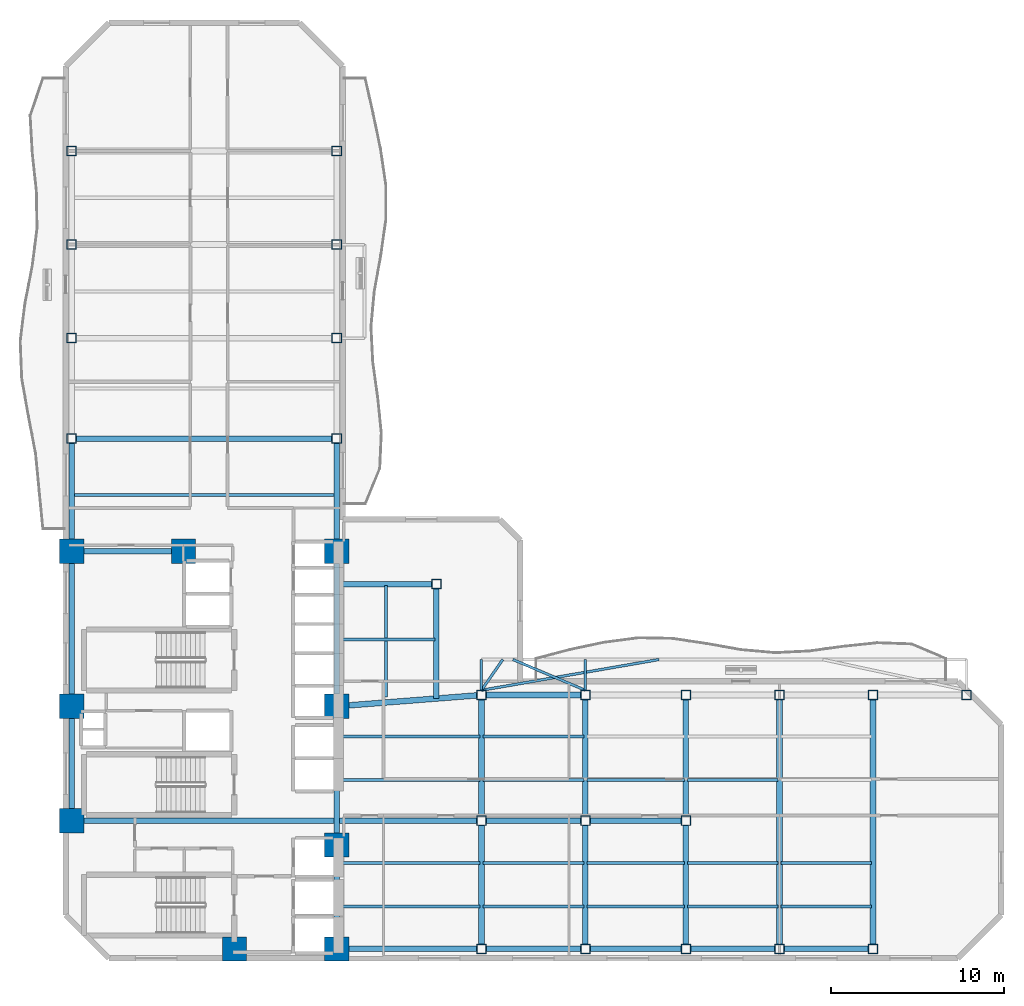
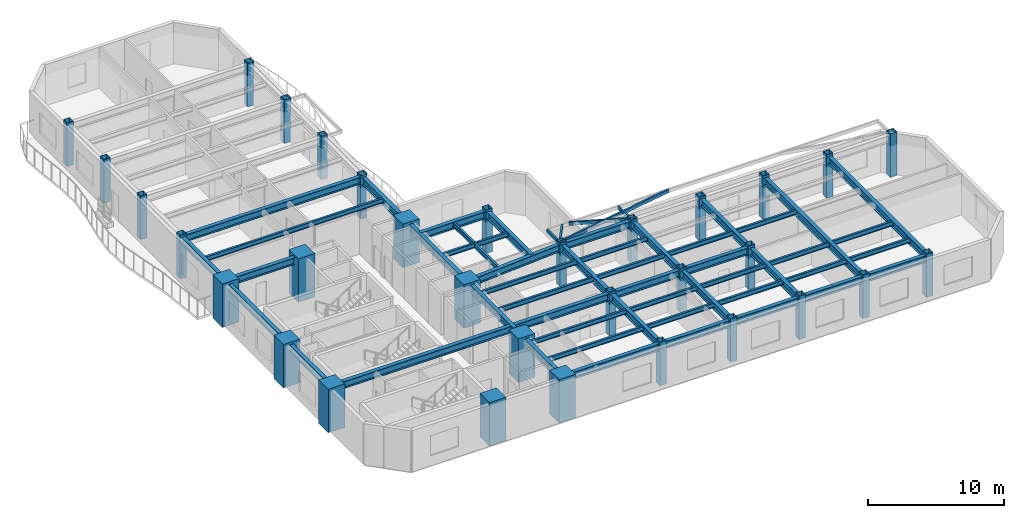
# One storey, part 1 of 10: 53 beams, 32 columns.
"""IFC4 building model written with IfcOpenShell, lengths in metres."""

from ifc_helpers import new_model, si_unit, direction, frame, origin, origin_2d, place, context, subcontext, project, spatial, rectangle, hollow_rectangle, i_section, extrude, material, material_profile, profile_set, type_object, element, save


model = new_model("IFC4")

# Units and contexts
model_context = context("Model", 3, precision=1e-05, world=origin(), true_north=direction((0.0, 1.0)))
body_context = subcontext(model_context, "Body", "Model", "MODEL_VIEW")
ifc_project = project(units=[si_unit("LENGTHUNIT", "METRE"), si_unit("AREAUNIT", "SQUARE_METRE"), si_unit("VOLUMEUNIT", "CUBIC_METRE"), si_unit("PLANEANGLEUNIT", "RADIAN"), si_unit("MASSUNIT", "GRAM", prefix="KILO")], contexts=[model_context])

# Site, building, storey
site_placement = place(None, origin())
site = spatial("IfcSite", under=ifc_project, at=site_placement, CompositionType="ELEMENT")
building_placement = place(site_placement, origin())
building = spatial("IfcBuilding", under=site, at=building_placement, Name="Mawjaban Terraces University", CompositionType="ELEMENT")
storey_placement = place(building_placement, frame((0.0, 0.0, 81.699951171875)))
storey = spatial("IfcBuildingStorey", under=building, at=storey_placement, Name="L19", CompositionType="ELEMENT", Elevation=81.699951171875)

# Columns
ifc_material_1 = material(Name="Concrete C70/85", Category="concrete")
ifc_material_profile_1 = material_profile(ifc_material_1, rectangle(XDim=1.39990234375, YDim=1.39990234375, at=origin_2d()), Name="RC1400X1400")
ifc_profile_set_1 = profile_set([ifc_material_profile_1], Name="Concrete C70/85")
column_type_1 = type_object("IfcColumnType", Name="Col_RC1400X1400", PredefinedType="COLUMN", material=ifc_profile_set_1)
for number, where, z_axis, x_axis, name in (
    (1, (31.75, 0.550048828125, 0.0), (0.0, 0.0, 1.0), (1.0, 0.0, 0.0), "L19 Column CC2"),
    (2, (37.64990234375, 0.550048828125, 0.0), (0.0, 0.0, 1.0), (1.0, 0.0, 0.0), "L19 Column CC3"),
    (3, (22.35009765625, 7.949951171875, 0.0), (0.0, 0.0, 1.0), (1.0, 0.0, 0.0), "L19 Column CC4"),
    (4, (37.64990234375, 6.550048828125, 0.0), (0.0, 0.0, 1.0), (1.0, 0.0, 0.0), "L19 Column CC5"),
    (5, (22.35009765625, 14.550048828125, 0.0), (0.0, 0.0, 1.0), (1.0, 0.0, 0.0), "L19 Column CC6"),
    (6, (37.64990234375, 14.550048828125, 0.0), (0.0, 0.0, 1.0), (1.0, 0.0, 0.0), "L19 Column CC7"),
    (7, (22.35009765625, 23.5, 0.0), (0.0, 0.0, 1.0), (1.0, 0.0, 0.0), "L19 Column CC8"),
    (8, (28.800048828125, 23.5, 0.0), (0.0, 0.0, 1.0), (1.0, 0.0, 0.0), "L19 Column CC9"),
    (9, (37.64990234375, 23.5, 0.0), (0.0, 0.0, 1.0), (1.0, 0.0, 0.0), "L19 Column CC10"),
):
    element("IfcColumn", number, at=place(storey_placement, frame(where, z_axis=z_axis, x_axis=x_axis)), inside=storey, type_object=column_type_1, Name=name, PredefinedType="COLUMN", context=body_context, shape_type="SweptSolid", body=[
        extrude(rectangle(XDim=1.39990234375, YDim=1.39990234375, at=origin_2d()), origin(), (0.0, 0.0, 1.0), 3.900146484375),
    ])
ifc_material_2 = material(Name="Steel EN 10210-1 S355J2H", Category="steel")
ifc_material_profile_2 = material_profile(ifc_material_2, hollow_rectangle(XDim=0.550048828125, YDim=0.550048828125, WallThickness=0.02490234375, at=origin_2d()), Name="SHS550X550X25")
ifc_profile_set_2 = profile_set([ifc_material_profile_2], Name="Steel EN 10210-1 S355J2H")
column_type_2 = type_object("IfcColumnType", Name="Col_SHS550X550X25", PredefinedType="COLUMN", material=ifc_profile_set_2)
for number, where, z_axis, x_axis, name in (
    (10, (46.0, 0.550048828125, 0.0), (0.0, 0.0, 1.0), (1.0, 0.0, 0.0), "L19 Column TE-460-005"),
    (11, (46.0, 7.949951171875, 0.0), (0.0, 0.0, 1.0), (1.0, 0.0, 0.0), "L19 Column TE-460-080"),
    (12, (46.0, 15.199951171875, 0.0), (0.0, 0.0, 1.0), (1.0, 0.0, 0.0), "L19 Column TE-460-152"),
    (13, (52.0, 0.550048828125, 0.0), (0.0, 0.0, 1.0), (1.0, 0.0, 0.0), "L19 Column TE-520-005"),
    (14, (52.0, 7.949951171875, 0.0), (0.0, 0.0, 1.0), (1.0, 0.0, 0.0), "L19 Column TE-520-080"),
    (15, (52.0, 15.199951171875, 0.0), (0.0, 0.0, 1.0), (1.0, 0.0, 0.0), "L19 Column TE-520-152"),
    (16, (57.800048828125, 0.550048828125, 0.0), (0.0, 0.0, 1.0), (1.0, 0.0, 0.0), "L19 Column TE-578-005"),
    (17, (57.800048828125, 7.949951171875, 0.0), (0.0, 0.0, 1.0), (1.0, 0.0, 0.0), "L19 Column TE-578-080"),
    (18, (57.800048828125, 15.199951171875, 0.0), (0.0, 0.0, 1.0), (1.0, 0.0, 0.0), "L19 Column TE-578-152"),
    (19, (63.199951171875, 0.550048828125, 0.0), (0.0, 0.0, 1.0), (1.0, 0.0, 0.0), "L19 Column TE-632-005"),
    (20, (63.199951171875, 15.199951171875, 0.0), (0.0, 0.0, 1.0), (1.0, 0.0, 0.0), "L19 Column TE-632-152"),
    (21, (68.60009765625, 0.550048828125, 0.0), (0.0, 0.0, 1.0), (1.0, 0.0, 0.0), "L19 Column TE-686-005"),
    (22, (68.60009765625, 15.199951171875, 0.0), (0.0, 0.0, 1.0), (1.0, 0.0, 0.0), "L19 Column TE-686-152"),
    (23, (74.0, 15.199951171875, 0.0), (0.0, 0.0, 1.0), (1.0, 0.0, 0.0), "L19 Column TE-740-152"),
    (24, (22.35009765625, 30.0, 0.0), (0.0, 0.0, 1.0), (1.0, 0.0, 0.0), "L19 Column TN-223-300"),
    (25, (37.64990234375, 30.0, 0.0), (0.0, 0.0, 1.0), (1.0, 0.0, 0.0), "L19 Column TN-376-300"),
    (26, (22.35009765625, 35.800048828125, 0.0), (0.0, 0.0, 1.0), (1.0, 0.0, 0.0), "L19 Column TN-223-358"),
    (27, (37.64990234375, 35.800048828125, 0.0), (0.0, 0.0, 1.0), (1.0, 0.0, 0.0), "L19 Column TN-376-358"),
    (28, (22.35009765625, 41.199951171875, 0.0), (0.0, 0.0, 1.0), (1.0, 0.0, 0.0), "L19 Column TN-223-412"),
    (29, (37.64990234375, 41.199951171875, 0.0), (0.0, 0.0, 1.0), (1.0, 0.0, 0.0), "L19 Column TN-376-412"),
    (30, (22.35009765625, 46.60009765625, 0.0), (0.0, 0.0, 1.0), (1.0, 0.0, 0.0), "L19 Column TN-223-466"),
    (31, (37.64990234375, 46.60009765625, 0.0), (0.0, 0.0, 1.0), (1.0, 0.0, 0.0), "L19 Column TN-376-466"),
    (32, (43.39990234375, 21.60009765625, 0.0), (0.0, 0.0, 1.0), (1.0, 0.0, 0.0), "L19 Column TS-434-216"),
):
    element("IfcColumn", number, at=place(storey_placement, frame(where, z_axis=z_axis, x_axis=x_axis)), inside=storey, type_object=column_type_2, Name=name, PredefinedType="COLUMN", context=body_context, shape_type="SweptSolid", body=[
        extrude(hollow_rectangle(XDim=0.550048828125, YDim=0.550048828125, WallThickness=0.02490234375, at=origin_2d()), origin(), (0.0, 0.0, 1.0), 3.900146484375),
    ])

# Beams
ifc_material_profile_3 = material_profile(ifc_material_2, hollow_rectangle(XDim=0.14990234375, YDim=0.300048828125, WallThickness=0.012451171875, at=origin_2d()), Name="RHS300X150X12.5")
ifc_profile_set_3 = profile_set([ifc_material_profile_3], Name="Steel EN 10210-1 S355J2H")
beam_type_1 = type_object("IfcBeamType", Name="BalconyCantileverSpandrel_RHS", PredefinedType="SPANDREL", material=ifc_profile_set_3)
beam_1_placement = place(storey_placement, frame((46.0, 15.47509765625, 3.5400390625), z_axis=(0.0, 1.0, 0.0), x_axis=(-1.0, 0.0, 0.0)))
element("IfcBeam", 33, at=beam_1_placement, inside=storey, type_object=beam_type_1, Name="L19 Exterior Outrigger BAL-L20-N.1", PredefinedType="SPANDREL", context=body_context, shape_type="SweptSolid", body=[
    extrude(hollow_rectangle(XDim=0.14990234375, YDim=0.300048828125, WallThickness=0.012451171875, at=origin_2d()), origin(), (0.0, 0.0, 1.0), 1.77490234375),
])
beam_2_placement = place(storey_placement, frame((46.0, 15.47509765625, 3.5400390625), z_axis=(0.985322873143, 0.170701012481, 0.0), x_axis=(-0.170701012481, 0.985322873143, 0.0)))
element("IfcBeam", 34, at=beam_2_placement, inside=storey, type_object=beam_type_1, Name="L19 Exterior Diagonal Strut BAL-L20-N.1", PredefinedType="SPANDREL", context=body_context, shape_type="SweptSolid", body=[
    extrude(hollow_rectangle(XDim=0.14990234375, YDim=0.300048828125, WallThickness=0.012451171875, at=origin_2d()), origin(), (0.0, 0.0, 1.0), 10.397705078125),
])
beam_3_placement = place(storey_placement, frame((52.0, 15.47509765625, 3.5400390625), z_axis=(0.0, 1.0, 0.0), x_axis=(-1.0, 0.0, 0.0)))
element("IfcBeam", 35, at=beam_3_placement, inside=storey, type_object=beam_type_1, Name="L19 Exterior Outrigger TER-L20-CLIMB.2", PredefinedType="SPANDREL", context=body_context, shape_type="SweptSolid", body=[
    extrude(hollow_rectangle(XDim=0.14990234375, YDim=0.300048828125, WallThickness=0.012451171875, at=origin_2d()), origin(), (0.0, 0.0, 1.0), 1.77490234375),
])
beam_4_placement = place(storey_placement, frame((46.0, 15.47509765625, 3.5400390625), z_axis=(0.571186879604, 0.820820046397, 0.0), x_axis=(-0.820820046397, 0.571186879604, 0.0)))
element("IfcBeam", 36, at=beam_4_placement, inside=storey, type_object=beam_type_1, Name="L19 Exterior Diagonal Strut TER-L20-CLIMB.1", PredefinedType="SPANDREL", context=body_context, shape_type="SweptSolid", body=[
    extrude(hollow_rectangle(XDim=0.14990234375, YDim=0.300048828125, WallThickness=0.012451171875, at=origin_2d()), origin(), (0.0, 0.0, 1.0), 2.162353515625),
])
beam_5_placement = place(storey_placement, frame((52.0, 15.47509765625, 3.5400390625), z_axis=(-0.920627415199, 0.390442265109, 0.0), x_axis=(-0.390442265109, -0.920627415199, 0.0)))
element("IfcBeam", 37, at=beam_5_placement, inside=storey, type_object=beam_type_1, Name="L19 Exterior Diagonal Strut TER-L20-CLIMB.2", PredefinedType="SPANDREL", context=body_context, shape_type="SweptSolid", body=[
    extrude(hollow_rectangle(XDim=0.14990234375, YDim=0.300048828125, WallThickness=0.012451171875, at=origin_2d()), origin(), (0.0, 0.0, 1.0), 4.5458984375),
])
ifc_material_3 = material(Name="Steel ASTM A572 Grade 50", Category="steel")
ifc_material_profile_4 = material_profile(ifc_material_3, i_section(OverallWidth=0.3291015625, OverallDepth=0.635009765625, WebThickness=0.017822265625, FlangeThickness=0.031005859375, at=origin_2d()), Name="W610X241")
ifc_profile_set_4 = profile_set([ifc_material_profile_4], Name="Steel ASTM A572 Grade 50")
beam_type_2 = type_object("IfcBeamType", Name="Beam_B_W610X241", PredefinedType="BEAM", material=ifc_profile_set_4)
beam_6_placement = place(storey_placement, frame((38.35009765625, 0.550048828125, 3.373046875), z_axis=(1.0, 0.0, 0.0), x_axis=(0.0, 1.0, 0.0)))
element("IfcBeam", 38, at=beam_6_placement, inside=storey, type_object=beam_type_2, Name="L19 Beam BM-L19-EW-01", PredefinedType="BEAM", context=body_context, shape_type="SweptSolid", body=[
    extrude(i_section(OverallWidth=0.3291015625, OverallDepth=0.635009765625, WebThickness=0.017822265625, FlangeThickness=0.031005859375, at=origin_2d()), origin(), (0.0, 0.0, 1.0), 7.375),
])
beam_7_placement = place(storey_placement, frame((46.27490234375, 0.550048828125, 3.373046875), z_axis=(1.0, 0.0, 0.0), x_axis=(0.0, 1.0, 0.0)))
element("IfcBeam", 39, at=beam_7_placement, inside=storey, type_object=beam_type_2, Name="L19 Beam BM-L19-EW-02", PredefinedType="BEAM", context=body_context, shape_type="SweptSolid", body=[
    extrude(i_section(OverallWidth=0.3291015625, OverallDepth=0.635009765625, WebThickness=0.017822265625, FlangeThickness=0.031005859375, at=origin_2d()), origin(), (0.0, 0.0, 1.0), 5.4501953125),
])
beam_8_placement = place(storey_placement, frame((52.27490234375, 0.550048828125, 3.373046875), z_axis=(1.0, 0.0, 0.0), x_axis=(0.0, 1.0, 0.0)))
element("IfcBeam", 40, at=beam_8_placement, inside=storey, type_object=beam_type_2, Name="L19 Beam BM-L19-EW-03", PredefinedType="BEAM", context=body_context, shape_type="SweptSolid", body=[
    extrude(i_section(OverallWidth=0.3291015625, OverallDepth=0.635009765625, WebThickness=0.017822265625, FlangeThickness=0.031005859375, at=origin_2d()), origin(), (0.0, 0.0, 1.0), 5.25),
])
beam_9_placement = place(storey_placement, frame((58.074951171875, 0.550048828125, 3.373046875), z_axis=(1.0, 0.0, 0.0), x_axis=(0.0, 1.0, 0.0)))
element("IfcBeam", 41, at=beam_9_placement, inside=storey, type_object=beam_type_2, Name="L19 Beam BM-L19-EW-04", PredefinedType="BEAM", context=body_context, shape_type="SweptSolid", body=[
    extrude(i_section(OverallWidth=0.3291015625, OverallDepth=0.635009765625, WebThickness=0.017822265625, FlangeThickness=0.031005859375, at=origin_2d()), origin(), (0.0, 0.0, 1.0), 4.85009765625),
])
beam_10_placement = place(storey_placement, frame((63.47509765625, 0.550048828125, 3.373046875), z_axis=(1.0, 0.0, 0.0), x_axis=(0.0, 1.0, 0.0)))
element("IfcBeam", 42, at=beam_10_placement, inside=storey, type_object=beam_type_2, Name="L19 Beam BM-L19-EW-05", PredefinedType="BEAM", context=body_context, shape_type="SweptSolid", body=[
    extrude(i_section(OverallWidth=0.3291015625, OverallDepth=0.635009765625, WebThickness=0.017822265625, FlangeThickness=0.031005859375, at=origin_2d()), origin(), (0.0, 0.0, 1.0), 4.849853515625),
])
beam_11_placement = place(storey_placement, frame((23.050048828125, 7.949951171875, 3.373046875), z_axis=(1.0, 0.0, 0.0), x_axis=(0.0, 1.0, 0.0)))
element("IfcBeam", 43, at=beam_11_placement, inside=storey, type_object=beam_type_2, Name="L19 Beam BM-L19-EW-06", PredefinedType="BEAM", context=body_context, shape_type="SweptSolid", body=[
    extrude(i_section(OverallWidth=0.3291015625, OverallDepth=0.635009765625, WebThickness=0.017822265625, FlangeThickness=0.031005859375, at=origin_2d()), origin(), (0.0, 0.0, 1.0), 22.675048828125),
])
beam_12_placement = place(storey_placement, frame((46.27490234375, 7.949951171875, 3.373046875), z_axis=(1.0, 0.0, 0.0), x_axis=(0.0, 1.0, 0.0)))
element("IfcBeam", 44, at=beam_12_placement, inside=storey, type_object=beam_type_2, Name="L19 Beam BM-L19-EW-07", PredefinedType="BEAM", context=body_context, shape_type="SweptSolid", body=[
    extrude(i_section(OverallWidth=0.3291015625, OverallDepth=0.635009765625, WebThickness=0.017822265625, FlangeThickness=0.031005859375, at=origin_2d()), origin(), (0.0, 0.0, 1.0), 5.4501953125),
])
beam_13_placement = place(storey_placement, frame((52.27490234375, 7.949951171875, 3.373046875), z_axis=(1.0, 0.0, 0.0), x_axis=(0.0, 1.0, 0.0)))
element("IfcBeam", 45, at=beam_13_placement, inside=storey, type_object=beam_type_2, Name="L19 Beam BM-L19-EW-08", PredefinedType="BEAM", context=body_context, shape_type="SweptSolid", body=[
    extrude(i_section(OverallWidth=0.3291015625, OverallDepth=0.635009765625, WebThickness=0.017822265625, FlangeThickness=0.031005859375, at=origin_2d()), origin(), (0.0, 0.0, 1.0), 5.25),
])
beam_14_placement = place(storey_placement, frame((46.27490234375, 15.199951171875, 3.373046875), z_axis=(1.0, 0.0, 0.0), x_axis=(0.0, 1.0, 0.0)))
element("IfcBeam", 46, at=beam_14_placement, inside=storey, type_object=beam_type_2, Name="L19 Beam BM-L19-EW-09", PredefinedType="BEAM", context=body_context, shape_type="SweptSolid", body=[
    extrude(i_section(OverallWidth=0.3291015625, OverallDepth=0.635009765625, WebThickness=0.017822265625, FlangeThickness=0.031005859375, at=origin_2d()), origin(), (0.0, 0.0, 1.0), 5.4501953125),
])
beam_15_placement = place(storey_placement, frame((23.050048828125, 23.5, 3.373046875), z_axis=(1.0, 0.0, 0.0), x_axis=(0.0, 1.0, 0.0)))
element("IfcBeam", 47, at=beam_15_placement, inside=storey, type_object=beam_type_2, Name="L19 Beam BM-L19-EW-14", PredefinedType="BEAM", context=body_context, shape_type="SweptSolid", body=[
    extrude(i_section(OverallWidth=0.3291015625, OverallDepth=0.635009765625, WebThickness=0.017822265625, FlangeThickness=0.031005859375, at=origin_2d()), origin(), (0.0, 0.0, 1.0), 5.050048828125),
])
beam_16_placement = place(storey_placement, frame((22.625, 30.0, 3.373046875), z_axis=(1.0, 0.0, 0.0), x_axis=(0.0, 1.0, 0.0)))
element("IfcBeam", 48, at=beam_16_placement, inside=storey, type_object=beam_type_2, Name="L19 Beam BM-L19-EW-15", PredefinedType="BEAM", context=body_context, shape_type="SweptSolid", body=[
    extrude(i_section(OverallWidth=0.3291015625, OverallDepth=0.635009765625, WebThickness=0.017822265625, FlangeThickness=0.031005859375, at=origin_2d()), origin(), (0.0, 0.0, 1.0), 14.75),
])
beam_17_placement = place(storey_placement, frame((22.35009765625, 8.64990234375, 3.373046875), z_axis=(0.0, 1.0, 0.0), x_axis=(-1.0, 0.0, 0.0)))
element("IfcBeam", 49, at=beam_17_placement, inside=storey, type_object=beam_type_2, Name="L19 Beam BM-L19-NS-01", PredefinedType="BEAM", context=body_context, shape_type="SweptSolid", body=[
    extrude(i_section(OverallWidth=0.3291015625, OverallDepth=0.635009765625, WebThickness=0.017822265625, FlangeThickness=0.031005859375, at=origin_2d()), origin(), (0.0, 0.0, 1.0), 5.2001953125),
])
beam_18_placement = place(storey_placement, frame((22.35009765625, 15.25, 3.373046875), z_axis=(0.0, 1.0, 0.0), x_axis=(-1.0, 0.0, 0.0)))
element("IfcBeam", 50, at=beam_18_placement, inside=storey, type_object=beam_type_2, Name="L19 Beam BM-L19-NS-02", PredefinedType="BEAM", context=body_context, shape_type="SweptSolid", body=[
    extrude(i_section(OverallWidth=0.3291015625, OverallDepth=0.635009765625, WebThickness=0.017822265625, FlangeThickness=0.031005859375, at=origin_2d()), origin(), (0.0, 0.0, 1.0), 7.550048828125),
])
beam_19_placement = place(storey_placement, frame((22.35009765625, 24.199951171875, 3.373046875), z_axis=(0.0, 1.0, 0.0), x_axis=(-1.0, 0.0, 0.0)))
element("IfcBeam", 51, at=beam_19_placement, inside=storey, type_object=beam_type_2, Name="L19 Beam BM-L19-NS-03", PredefinedType="BEAM", context=body_context, shape_type="SweptSolid", body=[
    extrude(i_section(OverallWidth=0.3291015625, OverallDepth=0.635009765625, WebThickness=0.017822265625, FlangeThickness=0.031005859375, at=origin_2d()), origin(), (0.0, 0.0, 1.0), 5.525146484375),
])
beam_20_placement = place(storey_placement, frame((37.64990234375, 1.25, 3.373046875), z_axis=(0.0, 1.0, 0.0), x_axis=(-1.0, 0.0, 0.0)))
element("IfcBeam", 52, at=beam_20_placement, inside=storey, type_object=beam_type_2, Name="L19 Beam BM-L19-NS-07", PredefinedType="BEAM", context=body_context, shape_type="SweptSolid", body=[
    extrude(i_section(OverallWidth=0.3291015625, OverallDepth=0.635009765625, WebThickness=0.017822265625, FlangeThickness=0.031005859375, at=origin_2d()), origin(), (0.0, 0.0, 1.0), 4.60009765625),
])
beam_21_placement = place(storey_placement, frame((37.64990234375, 7.25, 3.373046875), z_axis=(0.0, 1.0, 0.0), x_axis=(-1.0, 0.0, 0.0)))
element("IfcBeam", 53, at=beam_21_placement, inside=storey, type_object=beam_type_2, Name="L19 Beam BM-L19-NS-08", PredefinedType="BEAM", context=body_context, shape_type="SweptSolid", body=[
    extrude(i_section(OverallWidth=0.3291015625, OverallDepth=0.635009765625, WebThickness=0.017822265625, FlangeThickness=0.031005859375, at=origin_2d()), origin(), (0.0, 0.0, 1.0), 6.60009765625),
])
beam_22_placement = place(storey_placement, frame((37.64990234375, 15.25, 3.373046875), z_axis=(0.0, 1.0, 0.0), x_axis=(-1.0, 0.0, 0.0)))
element("IfcBeam", 54, at=beam_22_placement, inside=storey, type_object=beam_type_2, Name="L19 Beam BM-L19-NS-09", PredefinedType="BEAM", context=body_context, shape_type="SweptSolid", body=[
    extrude(i_section(OverallWidth=0.3291015625, OverallDepth=0.635009765625, WebThickness=0.017822265625, FlangeThickness=0.031005859375, at=origin_2d()), origin(), (0.0, 0.0, 1.0), 7.550048828125),
])
beam_23_placement = place(storey_placement, frame((37.64990234375, 24.199951171875, 3.373046875), z_axis=(0.0, 1.0, 0.0), x_axis=(-1.0, 0.0, 0.0)))
element("IfcBeam", 55, at=beam_23_placement, inside=storey, type_object=beam_type_2, Name="L19 Beam BM-L19-NS-10", PredefinedType="BEAM", context=body_context, shape_type="SweptSolid", body=[
    extrude(i_section(OverallWidth=0.3291015625, OverallDepth=0.635009765625, WebThickness=0.017822265625, FlangeThickness=0.031005859375, at=origin_2d()), origin(), (0.0, 0.0, 1.0), 5.525146484375),
])
beam_24_placement = place(storey_placement, frame((46.0, 0.824951171875, 3.373046875), z_axis=(0.0, 1.0, 0.0), x_axis=(-1.0, 0.0, 0.0)))
element("IfcBeam", 56, at=beam_24_placement, inside=storey, type_object=beam_type_2, Name="L19 Beam BM-L19-NS-14", PredefinedType="BEAM", context=body_context, shape_type="SweptSolid", body=[
    extrude(i_section(OverallWidth=0.3291015625, OverallDepth=0.635009765625, WebThickness=0.017822265625, FlangeThickness=0.031005859375, at=origin_2d()), origin(), (0.0, 0.0, 1.0), 6.85009765625),
])
beam_25_placement = place(storey_placement, frame((46.0, 8.22509765625, 3.373046875), z_axis=(0.0, 1.0, 0.0), x_axis=(-1.0, 0.0, 0.0)))
element("IfcBeam", 57, at=beam_25_placement, inside=storey, type_object=beam_type_2, Name="L19 Beam BM-L19-NS-15", PredefinedType="BEAM", context=body_context, shape_type="SweptSolid", body=[
    extrude(i_section(OverallWidth=0.3291015625, OverallDepth=0.635009765625, WebThickness=0.017822265625, FlangeThickness=0.031005859375, at=origin_2d()), origin(), (0.0, 0.0, 1.0), 6.699951171875),
])
beam_26_placement = place(storey_placement, frame((52.0, 0.824951171875, 3.373046875), z_axis=(0.0, 1.0, 0.0), x_axis=(-1.0, 0.0, 0.0)))
element("IfcBeam", 58, at=beam_26_placement, inside=storey, type_object=beam_type_2, Name="L19 Beam BM-L19-NS-16", PredefinedType="BEAM", context=body_context, shape_type="SweptSolid", body=[
    extrude(i_section(OverallWidth=0.3291015625, OverallDepth=0.635009765625, WebThickness=0.017822265625, FlangeThickness=0.031005859375, at=origin_2d()), origin(), (0.0, 0.0, 1.0), 6.85009765625),
])
beam_27_placement = place(storey_placement, frame((52.0, 8.22509765625, 3.373046875), z_axis=(0.0, 1.0, 0.0), x_axis=(-1.0, 0.0, 0.0)))
element("IfcBeam", 59, at=beam_27_placement, inside=storey, type_object=beam_type_2, Name="L19 Beam BM-L19-NS-17", PredefinedType="BEAM", context=body_context, shape_type="SweptSolid", body=[
    extrude(i_section(OverallWidth=0.3291015625, OverallDepth=0.635009765625, WebThickness=0.017822265625, FlangeThickness=0.031005859375, at=origin_2d()), origin(), (0.0, 0.0, 1.0), 6.699951171875),
])
beam_28_placement = place(storey_placement, frame((57.800048828125, 0.824951171875, 3.373046875), z_axis=(0.0, 1.0, 0.0), x_axis=(-1.0, 0.0, 0.0)))
element("IfcBeam", 60, at=beam_28_placement, inside=storey, type_object=beam_type_2, Name="L19 Beam BM-L19-NS-18", PredefinedType="BEAM", context=body_context, shape_type="SweptSolid", body=[
    extrude(i_section(OverallWidth=0.3291015625, OverallDepth=0.635009765625, WebThickness=0.017822265625, FlangeThickness=0.031005859375, at=origin_2d()), origin(), (0.0, 0.0, 1.0), 6.85009765625),
])
beam_29_placement = place(storey_placement, frame((57.800048828125, 8.22509765625, 3.373046875), z_axis=(0.0, 1.0, 0.0), x_axis=(-1.0, 0.0, 0.0)))
element("IfcBeam", 61, at=beam_29_placement, inside=storey, type_object=beam_type_2, Name="L19 Beam BM-L19-NS-19", PredefinedType="BEAM", context=body_context, shape_type="SweptSolid", body=[
    extrude(i_section(OverallWidth=0.3291015625, OverallDepth=0.635009765625, WebThickness=0.017822265625, FlangeThickness=0.031005859375, at=origin_2d()), origin(), (0.0, 0.0, 1.0), 6.699951171875),
])
for number, where, z_axis, x_axis, name in (
    (62, (63.199951171875, 0.824951171875, 3.373046875), (0.0, 1.0, 0.0), (-1.0, 0.0, 0.0), "L19 Beam BM-L19-NS-20"),
    (63, (68.60009765625, 0.824951171875, 3.373046875), (0.0, 1.0, 0.0), (-1.0, 0.0, 0.0), "L19 Beam BM-L19-NS-21"),
):
    element("IfcBeam", number, at=place(storey_placement, frame(where, z_axis=z_axis, x_axis=x_axis)), inside=storey, type_object=beam_type_2, Name=name, PredefinedType="BEAM", context=body_context, shape_type="SweptSolid", body=[
        extrude(i_section(OverallWidth=0.3291015625, OverallDepth=0.635009765625, WebThickness=0.017822265625, FlangeThickness=0.031005859375, at=origin_2d()), origin(), (0.0, 0.0, 1.0), 14.10009765625),
    ])
beam_30_placement = place(storey_placement, frame((38.347900390625, 14.60400390625, 3.373046875), z_axis=(0.996977531908, 0.077690416851, 0.0), x_axis=(-0.077690416851, 0.996977531908, 0.0)))
element("IfcBeam", 64, at=beam_30_placement, inside=storey, type_object=beam_type_2, Name="L19 Beam BM-L19-CTIE", PredefinedType="BEAM", context=body_context, shape_type="SweptSolid", body=[
    extrude(i_section(OverallWidth=0.3291015625, OverallDepth=0.635009765625, WebThickness=0.017822265625, FlangeThickness=0.031005859375, at=origin_2d()), origin(), (0.0, 0.0, 1.0), 7.400634765625),
])
beam_31_placement = place(storey_placement, frame((37.679931640625, 21.60009765625, 3.373046875), z_axis=(1.0, 0.0, 0.0), x_axis=(0.0, 1.0, 0.0)))
element("IfcBeam", 65, at=beam_31_placement, inside=storey, type_object=beam_type_2, Name="L19 Spur Tie Girder West", PredefinedType="BEAM", context=body_context, shape_type="SweptSolid", body=[
    extrude(i_section(OverallWidth=0.3291015625, OverallDepth=0.635009765625, WebThickness=0.017822265625, FlangeThickness=0.031005859375, at=origin_2d()), origin(), (0.0, 0.0, 1.0), 5.445068359375),
])
beam_32_placement = place(storey_placement, frame((43.39990234375, 15.0, 3.373046875), z_axis=(0.0, 1.0, 0.0), x_axis=(-1.0, 0.0, 0.0)))
element("IfcBeam", 66, at=beam_32_placement, inside=storey, type_object=beam_type_2, Name="L19 Spur Tie Girder South", PredefinedType="BEAM", context=body_context, shape_type="SweptSolid", body=[
    extrude(i_section(OverallWidth=0.3291015625, OverallDepth=0.635009765625, WebThickness=0.017822265625, FlangeThickness=0.031005859375, at=origin_2d()), origin(), (0.0, 0.0, 1.0), 6.324951171875),
])
ifc_material_profile_5 = material_profile(ifc_material_3, i_section(OverallWidth=0.179931640625, OverallDepth=0.4130859375, WebThickness=0.009765625, FlangeThickness=0.01611328125, at=origin_2d()), Name="W410X74")
ifc_profile_set_5 = profile_set([ifc_material_profile_5], Name="Steel ASTM A572 Grade 50")
beam_type_3 = type_object("IfcBeamType", Name="Beam_J_W410X74", PredefinedType="JOIST", material=ifc_profile_set_5)
beam_33_placement = place(storey_placement, frame((37.72998046875, 3.0, 3.483154296875), z_axis=(1.0, 0.0, 0.0), x_axis=(0.0, 1.0, 0.0)))
element("IfcBeam", 67, at=beam_33_placement, inside=storey, type_object=beam_type_3, Name="L19 Composite Joist JST-L19-01", PredefinedType="JOIST", context=body_context, shape_type="SweptSolid", body=[
    extrude(i_section(OverallWidth=0.179931640625, OverallDepth=0.4130859375, WebThickness=0.009765625, FlangeThickness=0.01611328125, at=origin_2d()), origin(), (0.0, 0.0, 1.0), 8.18994140625),
])
beam_34_placement = place(storey_placement, frame((46.080078125, 3.0, 3.483154296875), z_axis=(1.0, 0.0, 0.0), x_axis=(0.0, 1.0, 0.0)))
element("IfcBeam", 68, at=beam_34_placement, inside=storey, type_object=beam_type_3, Name="L19 Composite Joist JST-L19-02", PredefinedType="JOIST", context=body_context, shape_type="SweptSolid", body=[
    extrude(i_section(OverallWidth=0.179931640625, OverallDepth=0.4130859375, WebThickness=0.009765625, FlangeThickness=0.01611328125, at=origin_2d()), origin(), (0.0, 0.0, 1.0), 5.83984375),
])
beam_35_placement = place(storey_placement, frame((52.080078125, 3.0, 3.483154296875), z_axis=(1.0, 0.0, 0.0), x_axis=(0.0, 1.0, 0.0)))
element("IfcBeam", 69, at=beam_35_placement, inside=storey, type_object=beam_type_3, Name="L19 Composite Joist JST-L19-03", PredefinedType="JOIST", context=body_context, shape_type="SweptSolid", body=[
    extrude(i_section(OverallWidth=0.179931640625, OverallDepth=0.4130859375, WebThickness=0.009765625, FlangeThickness=0.01611328125, at=origin_2d()), origin(), (0.0, 0.0, 1.0), 5.639892578125),
])
beam_36_placement = place(storey_placement, frame((57.8798828125, 3.0, 3.483154296875), z_axis=(1.0, 0.0, 0.0), x_axis=(0.0, 1.0, 0.0)))
element("IfcBeam", 70, at=beam_36_placement, inside=storey, type_object=beam_type_3, Name="L19 Composite Joist JST-L19-04", PredefinedType="JOIST", context=body_context, shape_type="SweptSolid", body=[
    extrude(i_section(OverallWidth=0.179931640625, OverallDepth=0.4130859375, WebThickness=0.009765625, FlangeThickness=0.01611328125, at=origin_2d()), origin(), (0.0, 0.0, 1.0), 5.240234375),
])
beam_37_placement = place(storey_placement, frame((63.280029296875, 3.0, 3.483154296875), z_axis=(1.0, 0.0, 0.0), x_axis=(0.0, 1.0, 0.0)))
element("IfcBeam", 71, at=beam_37_placement, inside=storey, type_object=beam_type_3, Name="L19 Composite Joist JST-L19-05", PredefinedType="JOIST", context=body_context, shape_type="SweptSolid", body=[
    extrude(i_section(OverallWidth=0.179931640625, OverallDepth=0.4130859375, WebThickness=0.009765625, FlangeThickness=0.01611328125, at=origin_2d()), origin(), (0.0, 0.0, 1.0), 5.239990234375),
])
beam_38_placement = place(storey_placement, frame((37.72998046875, 5.5, 3.483154296875), z_axis=(1.0, 0.0, 0.0), x_axis=(0.0, 1.0, 0.0)))
element("IfcBeam", 72, at=beam_38_placement, inside=storey, type_object=beam_type_3, Name="L19 Composite Joist JST-L19-06", PredefinedType="JOIST", context=body_context, shape_type="SweptSolid", body=[
    extrude(i_section(OverallWidth=0.179931640625, OverallDepth=0.4130859375, WebThickness=0.009765625, FlangeThickness=0.01611328125, at=origin_2d()), origin(), (0.0, 0.0, 1.0), 8.18994140625),
])
beam_39_placement = place(storey_placement, frame((46.080078125, 5.5, 3.483154296875), z_axis=(1.0, 0.0, 0.0), x_axis=(0.0, 1.0, 0.0)))
element("IfcBeam", 73, at=beam_39_placement, inside=storey, type_object=beam_type_3, Name="L19 Composite Joist JST-L19-07", PredefinedType="JOIST", context=body_context, shape_type="SweptSolid", body=[
    extrude(i_section(OverallWidth=0.179931640625, OverallDepth=0.4130859375, WebThickness=0.009765625, FlangeThickness=0.01611328125, at=origin_2d()), origin(), (0.0, 0.0, 1.0), 5.83984375),
])
beam_40_placement = place(storey_placement, frame((52.080078125, 5.5, 3.483154296875), z_axis=(1.0, 0.0, 0.0), x_axis=(0.0, 1.0, 0.0)))
element("IfcBeam", 74, at=beam_40_placement, inside=storey, type_object=beam_type_3, Name="L19 Composite Joist JST-L19-08", PredefinedType="JOIST", context=body_context, shape_type="SweptSolid", body=[
    extrude(i_section(OverallWidth=0.179931640625, OverallDepth=0.4130859375, WebThickness=0.009765625, FlangeThickness=0.01611328125, at=origin_2d()), origin(), (0.0, 0.0, 1.0), 5.639892578125),
])
beam_41_placement = place(storey_placement, frame((57.8798828125, 5.5, 3.483154296875), z_axis=(1.0, 0.0, 0.0), x_axis=(0.0, 1.0, 0.0)))
element("IfcBeam", 75, at=beam_41_placement, inside=storey, type_object=beam_type_3, Name="L19 Composite Joist JST-L19-09", PredefinedType="JOIST", context=body_context, shape_type="SweptSolid", body=[
    extrude(i_section(OverallWidth=0.179931640625, OverallDepth=0.4130859375, WebThickness=0.009765625, FlangeThickness=0.01611328125, at=origin_2d()), origin(), (0.0, 0.0, 1.0), 5.240234375),
])
beam_42_placement = place(storey_placement, frame((63.280029296875, 5.5, 3.483154296875), z_axis=(1.0, 0.0, 0.0), x_axis=(0.0, 1.0, 0.0)))
element("IfcBeam", 76, at=beam_42_placement, inside=storey, type_object=beam_type_3, Name="L19 Composite Joist JST-L19-10", PredefinedType="JOIST", context=body_context, shape_type="SweptSolid", body=[
    extrude(i_section(OverallWidth=0.179931640625, OverallDepth=0.4130859375, WebThickness=0.009765625, FlangeThickness=0.01611328125, at=origin_2d()), origin(), (0.0, 0.0, 1.0), 5.239990234375),
])
beam_43_placement = place(storey_placement, frame((37.72998046875, 10.300048828125, 3.483154296875), z_axis=(1.0, 0.0, 0.0), x_axis=(0.0, 1.0, 0.0)))
element("IfcBeam", 77, at=beam_43_placement, inside=storey, type_object=beam_type_3, Name="L19 Composite Joist JST-L19-11", PredefinedType="JOIST", context=body_context, shape_type="SweptSolid", body=[
    extrude(i_section(OverallWidth=0.179931640625, OverallDepth=0.4130859375, WebThickness=0.009765625, FlangeThickness=0.01611328125, at=origin_2d()), origin(), (0.0, 0.0, 1.0), 8.18994140625),
])
beam_44_placement = place(storey_placement, frame((46.080078125, 10.300048828125, 3.483154296875), z_axis=(1.0, 0.0, 0.0), x_axis=(0.0, 1.0, 0.0)))
element("IfcBeam", 78, at=beam_44_placement, inside=storey, type_object=beam_type_3, Name="L19 Composite Joist JST-L19-12", PredefinedType="JOIST", context=body_context, shape_type="SweptSolid", body=[
    extrude(i_section(OverallWidth=0.179931640625, OverallDepth=0.4130859375, WebThickness=0.009765625, FlangeThickness=0.01611328125, at=origin_2d()), origin(), (0.0, 0.0, 1.0), 5.83984375),
])
beam_45_placement = place(storey_placement, frame((52.080078125, 10.300048828125, 3.483154296875), z_axis=(1.0, 0.0, 0.0), x_axis=(0.0, 1.0, 0.0)))
element("IfcBeam", 79, at=beam_45_placement, inside=storey, type_object=beam_type_3, Name="L19 Composite Joist JST-L19-13", PredefinedType="JOIST", context=body_context, shape_type="SweptSolid", body=[
    extrude(i_section(OverallWidth=0.179931640625, OverallDepth=0.4130859375, WebThickness=0.009765625, FlangeThickness=0.01611328125, at=origin_2d()), origin(), (0.0, 0.0, 1.0), 5.639892578125),
])
beam_46_placement = place(storey_placement, frame((57.8798828125, 10.300048828125, 3.483154296875), z_axis=(1.0, 0.0, 0.0), x_axis=(0.0, 1.0, 0.0)))
element("IfcBeam", 80, at=beam_46_placement, inside=storey, type_object=beam_type_3, Name="L19 Composite Joist JST-L19-14", PredefinedType="JOIST", context=body_context, shape_type="SweptSolid", body=[
    extrude(i_section(OverallWidth=0.179931640625, OverallDepth=0.4130859375, WebThickness=0.009765625, FlangeThickness=0.01611328125, at=origin_2d()), origin(), (0.0, 0.0, 1.0), 5.240234375),
])
beam_47_placement = place(storey_placement, frame((37.72998046875, 12.800048828125, 3.483154296875), z_axis=(1.0, 0.0, 0.0), x_axis=(0.0, 1.0, 0.0)))
element("IfcBeam", 81, at=beam_47_placement, inside=storey, type_object=beam_type_3, Name="L19 Composite Joist JST-L19-16", PredefinedType="JOIST", context=body_context, shape_type="SweptSolid", body=[
    extrude(i_section(OverallWidth=0.179931640625, OverallDepth=0.4130859375, WebThickness=0.009765625, FlangeThickness=0.01611328125, at=origin_2d()), origin(), (0.0, 0.0, 1.0), 8.18994140625),
])
beam_48_placement = place(storey_placement, frame((46.080078125, 12.800048828125, 3.483154296875), z_axis=(1.0, 0.0, 0.0), x_axis=(0.0, 1.0, 0.0)))
element("IfcBeam", 82, at=beam_48_placement, inside=storey, type_object=beam_type_3, Name="L19 Composite Joist JST-L19-17", PredefinedType="JOIST", context=body_context, shape_type="SweptSolid", body=[
    extrude(i_section(OverallWidth=0.179931640625, OverallDepth=0.4130859375, WebThickness=0.009765625, FlangeThickness=0.01611328125, at=origin_2d()), origin(), (0.0, 0.0, 1.0), 5.83984375),
])
beam_49_placement = place(storey_placement, frame((37.72998046875, 18.39990234375, 3.483154296875), z_axis=(1.0, 0.0, 0.0), x_axis=(0.0, 1.0, 0.0)))
element("IfcBeam", 83, at=beam_49_placement, inside=storey, type_object=beam_type_3, Name="L19 Composite Joist JST-L19-21", PredefinedType="JOIST", context=body_context, shape_type="SweptSolid", body=[
    extrude(i_section(OverallWidth=0.179931640625, OverallDepth=0.4130859375, WebThickness=0.009765625, FlangeThickness=0.01611328125, at=origin_2d()), origin(), (0.0, 0.0, 1.0), 5.590087890625),
])
beam_50_placement = place(storey_placement, frame((22.429931640625, 26.75, 3.483154296875), z_axis=(1.0, 0.0, 0.0), x_axis=(0.0, 1.0, 0.0)))
element("IfcBeam", 84, at=beam_50_placement, inside=storey, type_object=beam_type_3, Name="L19 Composite Joist JST-L19-22", PredefinedType="JOIST", context=body_context, shape_type="SweptSolid", body=[
    extrude(i_section(OverallWidth=0.179931640625, OverallDepth=0.4130859375, WebThickness=0.009765625, FlangeThickness=0.01611328125, at=origin_2d()), origin(), (0.0, 0.0, 1.0), 15.14013671875),
])
beam_51_placement = place(storey_placement, frame((40.5, 15.080078125, 3.483154296875), z_axis=(0.0, 1.0, 0.0), x_axis=(-1.0, 0.0, 0.0)))
element("IfcBeam", 85, at=beam_51_placement, inside=storey, type_object=beam_type_3, Name="L19 Composite Joist JST-L19-NS-26", PredefinedType="JOIST", context=body_context, shape_type="SweptSolid", body=[
    extrude(i_section(OverallWidth=0.179931640625, OverallDepth=0.4130859375, WebThickness=0.009765625, FlangeThickness=0.01611328125, at=origin_2d()), origin(), (0.0, 0.0, 1.0), 6.43994140625),
])

save(model, "model.ifc")
